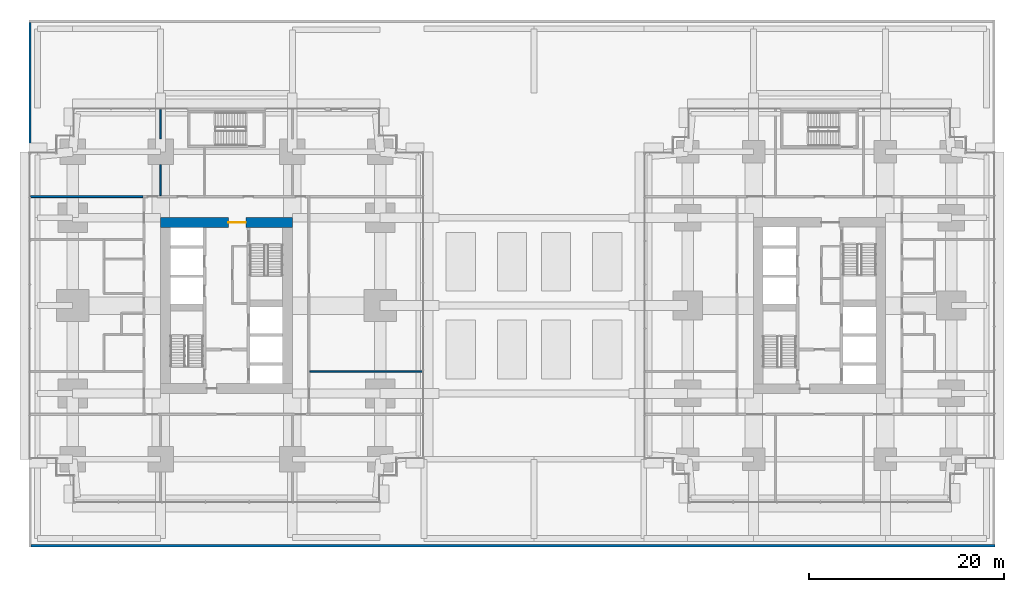
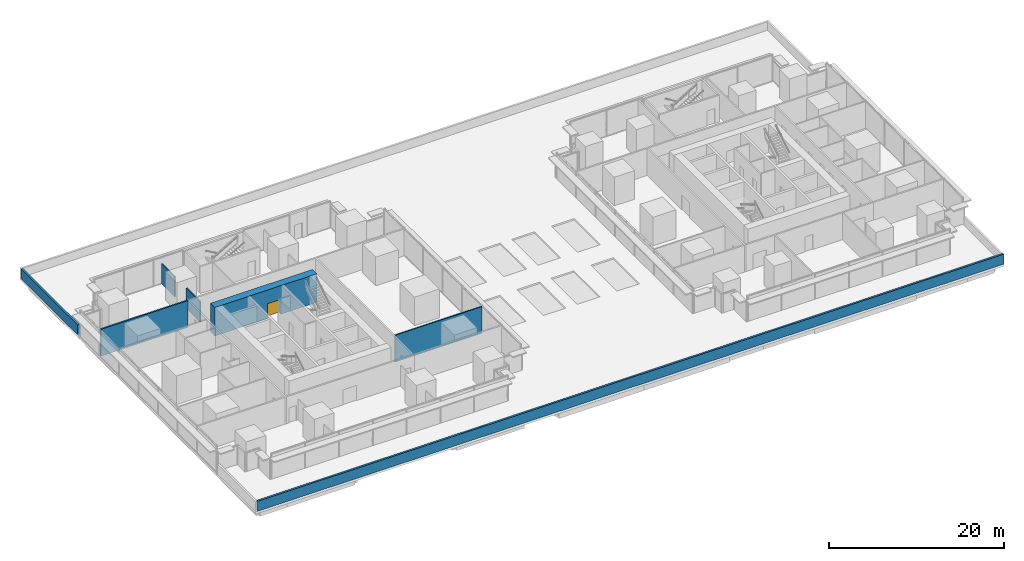
# One storey, part 26 of 34: 7 walls, 1 door, 1 opening.
"""IFC4 building model written with IfcOpenShell, lengths in metres."""

from ifc_helpers import new_model, si_unit, direction, frame, frame_2d, origin, place, context, subcontext, project, spatial, rectangle, extrude, material, layer, layer_set, type_object, element, fill, save


model = new_model("IFC4")

# Units and contexts
model_context = context("Model", 3, precision=1e-05, world=origin(), true_north=direction((0.0, 1.0)))
body_context = subcontext(model_context, "Body", "Model", "MODEL_VIEW")
ifc_project = project(units=[si_unit("LENGTHUNIT", "METRE"), si_unit("AREAUNIT", "SQUARE_METRE"), si_unit("VOLUMEUNIT", "CUBIC_METRE"), si_unit("PLANEANGLEUNIT", "RADIAN"), si_unit("MASSUNIT", "GRAM", prefix="KILO")], contexts=[model_context])

# Site, building, storey
site_placement = place(None, origin())
site = spatial("IfcSite", under=ifc_project, at=site_placement, CompositionType="ELEMENT")
building_placement = place(site_placement, origin())
building = spatial("IfcBuilding", under=site, at=building_placement, Name="Namib Vertical Campus", CompositionType="ELEMENT")
storey_placement = place(building_placement, frame((0.0, 0.0, 21.0)))
storey = spatial("IfcBuildingStorey", under=building, at=storey_placement, Name="L04", CompositionType="ELEMENT", Elevation=21.0)

# Wall, opening, door
ifc_material_1 = material(Name="Concrete C60/75", Category="concrete")
ifc_layer_1 = layer(ifc_material_1, 1.0)
ifc_layer_set_1 = layer_set([ifc_layer_1], Name="Concrete C60/75")
wall_type_1 = type_object("IfcWallType", Name="Core wall 1000", PredefinedType="SHEAR", material=ifc_layer_set_1)
wall_1_placement = place(storey_placement, frame((27.0, 28.75, 0.0), z_axis=(0.0, 0.0, 1.0), x_axis=(-1.0, 0.0, 0.0)))
wall_1 = element("IfcWall", 1, at=wall_1_placement, inside=storey, type_object=wall_type_1, Name="Core wall A L04 3", PredefinedType="SHEAR", context=body_context, shape_type="SweptSolid", body=[
    extrude(rectangle(XDim=13.5, YDim=1.0, at=frame_2d((6.75, 0.0))), origin(), (0.0, 0.0, 1.0), 4.0),
])
opening_placement = place(wall_1_placement, frame((4.75, 0.0, 0.0)))
opening = element("IfcOpeningElement", 2, at=opening_placement, cuts=wall_1, Name="Opening FD2", PredefinedType="OPENING", context=body_context, shape_type="SweptSolid", body=[
    extrude(rectangle(XDim=1.800048828125, YDim=2.10009765625, at=frame_2d((0.89990234375, 1.050048828125))), frame((0.0, 0.510009765625, 0.0), z_axis=(0.0, -1.0, 0.0), x_axis=(1.0, 0.0, 0.0)), (0.0, 0.0, 1.0), 1.02001953125),
])
ifc_material_2 = material(Name="Steel fire door", Category="steel")
door_type = type_object("IfcDoorType", Name="Fire door double 1800x2100", OperationType="DOUBLE_DOOR_SINGLE_SWING", PredefinedType="DOOR", material=ifc_material_2)
door_placement = place(opening_placement, origin())
door = element("IfcDoor", 3, at=door_placement, inside=storey, type_object=door_type, Name="Lift lobby door FD2 A L04", OperationType="DOUBLE_DOOR_SINGLE_SWING", OverallHeight=2.10009765625, OverallWidth=1.800048828125, PredefinedType="DOOR", context=body_context, shape_type="SweptSolid", body=[
    extrude(rectangle(XDim=1.800048828125, YDim=2.10009765625, at=frame_2d((0.89990234375, 1.050048828125))), frame((0.0, 0.02490234375, 0.0), z_axis=(0.0, -1.0, 0.0), x_axis=(1.0, 0.0, 0.0)), (0.0, 0.0, 1.0), 0.050048828125),
])
fill(opening, door)

# Walls
ifc_material_3 = material(Name="Concrete masonry", Category="masonry")
ifc_layer_2 = layer(ifc_material_3, 0.199951171875)
ifc_layer_set_2 = layer_set([ifc_layer_2], Name="Corridor wall 200")
wall_type_2 = type_object("IfcWallType", Name="Corridor wall 200", PredefinedType="SOLIDWALL", material=ifc_layer_set_2)
wall_2_placement = place(storey_placement, frame((0.179931640625, 31.39990234375, 0.0), z_axis=(0.0, 0.0, 1.0), x_axis=(1.0, 0.0, 0.0)))
element("IfcWall", 4, at=wall_2_placement, inside=storey, type_object=wall_type_2, Name="Partition A L04 BNW", PredefinedType="SOLIDWALL", context=body_context, shape_type="SweptSolid", body=[
    extrude(rectangle(XDim=11.52001953125, YDim=0.199951171875, at=frame_2d((5.760009765625, 0.0))), origin(), (0.0, 0.0, 1.0), 3.75),
])
ifc_material_4 = material(Name="Concrete C40/50", Category="concrete")
ifc_layer_3 = layer(ifc_material_4, 0.25)
ifc_layer_set_3 = layer_set([ifc_layer_3], Name="Concrete C40/50")
wall_type_3 = type_object("IfcWallType", Name="Parapet wall 250", PredefinedType="PARAPET", material=ifc_layer_set_3)
wall_3_placement = place(storey_placement, frame((0.25, -4.375, 0.0), z_axis=(0.0, 0.0, 1.0), x_axis=(1.0, 0.0, 0.0)))
element("IfcWall", 5, at=wall_3_placement, inside=storey, type_object=wall_type_3, Name="Parapet PW1 podium 1-1", PredefinedType="PARAPET", context=body_context, shape_type="SweptSolid", body=[
    extrude(rectangle(XDim=98.75, YDim=0.25, at=frame_2d((49.375, 0.0))), origin(), (0.0, 0.0, 1.0), 1.39990234375),
])
wall_4_placement = place(storey_placement, frame((0.125, 49.25, 0.0), z_axis=(0.0, 0.0, 1.0), x_axis=(0.0, -1.0, 0.0)))
element("IfcWall", 6, at=wall_4_placement, inside=storey, type_object=wall_type_3, Name="Parapet PW1 podium 4-1", PredefinedType="PARAPET", context=body_context, shape_type="SweptSolid", body=[
    extrude(rectangle(XDim=12.949951171875, YDim=0.25, at=frame_2d((6.47509765625, 0.0))), origin(), (0.0, 0.0, 1.0), 1.39990234375),
])
ifc_material_5 = material(Name="Gypsum board on steel studs", Category="steel")
ifc_layer_4 = layer(ifc_material_5, 0.14990234375)
ifc_layer_set_4 = layer_set([ifc_layer_4], Name="Gypsum board on steel studs")
wall_type_4 = type_object("IfcWallType", Name="Partition 150", PredefinedType="PARTITIONING", material=ifc_layer_set_4)
wall_5_placement = place(storey_placement, frame((13.5, 31.5, 0.0), z_axis=(0.0, 0.0, 1.0), x_axis=(0.0, 1.0, 0.0)))
element("IfcWall", 7, at=wall_5_placement, inside=storey, type_object=wall_type_4, Name="Partition A L04 PN1", PredefinedType="PARTITIONING", context=body_context, shape_type="SweptSolid", body=[
    extrude(rectangle(XDim=3.179931640625, YDim=0.14990234375, at=frame_2d((1.58984375, 0.0))), origin(), (0.0, 0.0, 1.0), 2.85009765625),
])
wall_6_placement = place(storey_placement, frame((13.5, 37.320068359375, 0.0), z_axis=(0.0, 0.0, 1.0), x_axis=(0.0, 1.0, 0.0)))
element("IfcWall", 8, at=wall_6_placement, inside=storey, type_object=wall_type_4, Name="Partition A L04 PN1", PredefinedType="PARTITIONING", context=body_context, shape_type="SweptSolid", body=[
    extrude(rectangle(XDim=3.0, YDim=0.14990234375, at=frame_2d((1.5, 0.0))), origin(), (0.0, 0.0, 1.0), 2.85009765625),
])
wall_7_placement = place(storey_placement, frame((28.800048828125, 13.5, 0.0), z_axis=(0.0, 0.0, 1.0), x_axis=(1.0, 0.0, 0.0)))
element("IfcWall", 9, at=wall_7_placement, inside=storey, type_object=wall_type_4, Name="Partition A L04 PE1", PredefinedType="PARTITIONING", context=body_context, shape_type="SweptSolid", body=[
    extrude(rectangle(XDim=11.52001953125, YDim=0.14990234375, at=frame_2d((5.760009765625, 0.0))), origin(), (0.0, 0.0, 1.0), 3.75),
])

save(model, "model.ifc")
